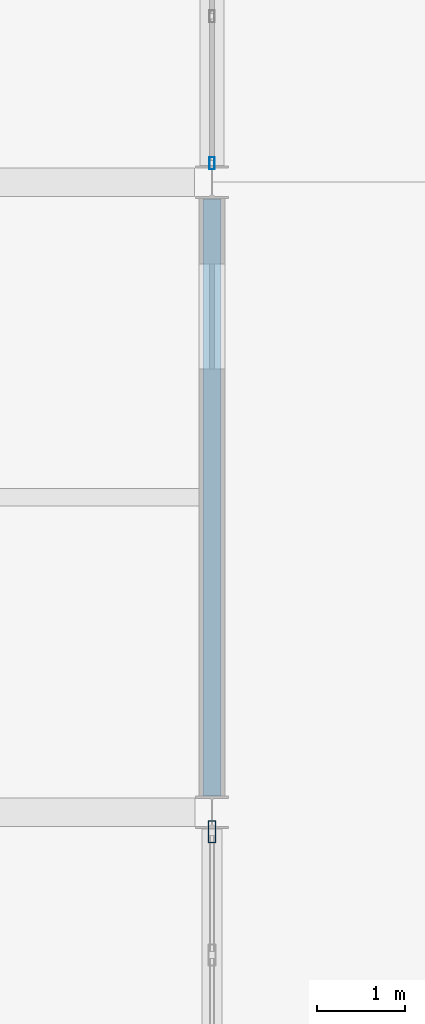
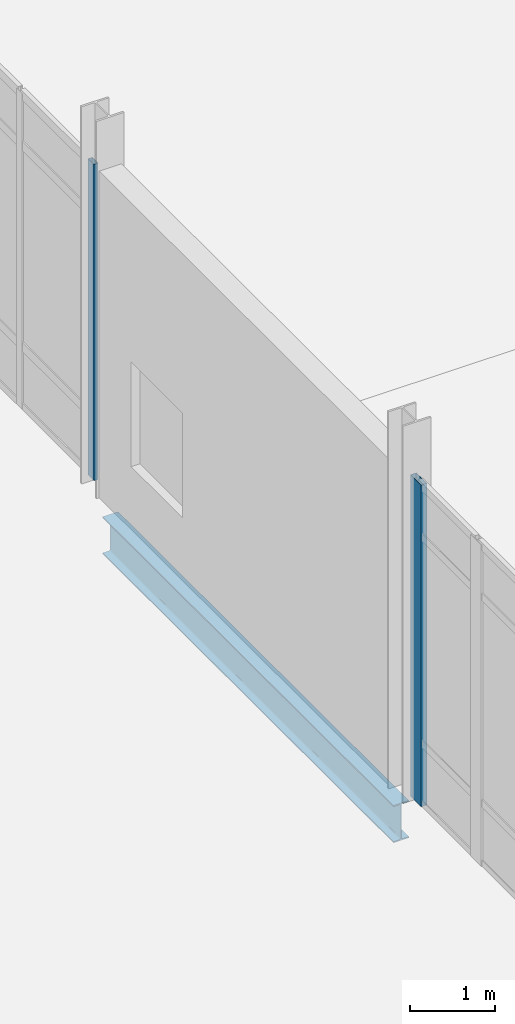
# One storey, part 100 of 229: 2 members, 1 beam, 2 elements without a shape of their own.
"""IFC4 building model written with IfcOpenShell, lengths in metres."""

from ifc_helpers import new_model, si_unit, direction, frame, origin, origin_2d, place, context, subcontext, project, spatial, hollow_rectangle, i_section, extrude, material, layer, layer_set, material_profile, profile_set, type_object, element, aggregate, save


model = new_model("IFC4")

# Units and contexts
model_context = context("Model", 3, precision=1e-05, world=origin(), true_north=direction((0.0, 1.0)))
body_context = subcontext(model_context, "Body", "Model", "MODEL_VIEW")
ifc_project = project(units=[si_unit("LENGTHUNIT", "METRE"), si_unit("AREAUNIT", "SQUARE_METRE"), si_unit("VOLUMEUNIT", "CUBIC_METRE"), si_unit("PLANEANGLEUNIT", "RADIAN"), si_unit("MASSUNIT", "GRAM", prefix="KILO")], contexts=[model_context])

# Site, building, storey
site_placement = place(None, origin())
site = spatial("IfcSite", under=ifc_project, at=site_placement, CompositionType="ELEMENT")
building_placement = place(site_placement, origin())
building = spatial("IfcBuilding", under=site, at=building_placement, Name="Calvrana Isthmian Art Gallery", CompositionType="ELEMENT")
storey_placement = place(building_placement, origin())
storey = spatial("IfcBuildingStorey", under=building, at=storey_placement, Name="L00", CompositionType="ELEMENT", Elevation=0.0)

# Beam
ifc_material_1 = material(Name="Steel ASTM A992 Gr 50", Category="steel")
ifc_material_profile_1 = material_profile(ifc_material_1, i_section(OverallWidth=0.208984375, OverallDepth=0.532958984375, WebThickness=0.01025390625, FlangeThickness=0.015625, FilletRadius=0.02099609375, at=origin_2d()), Name="W21X62")
ifc_profile_set_1 = profile_set([ifc_material_profile_1], Name="Steel ASTM A992 Gr 50")
beam_type = type_object("IfcBeamType", Name="BM-G-W21X62", PredefinedType="BEAM", material=ifc_profile_set_1)
beam_placement = place(storey_placement, frame((63.60009765625, 69.7880859375, -0.551513671875), z_axis=(0.0, 1.0, 0.0), x_axis=(-1.0, 0.0, 0.0)))
element("IfcBeam", 1, at=beam_placement, inside=storey, type_object=beam_type, Name="Girder Y L00 09/J-K", PredefinedType="BEAM", context=body_context, shape_type="SweptSolid", body=[
    extrude(i_section(OverallWidth=0.208984375, OverallDepth=0.532958984375, WebThickness=0.01025390625, FlangeThickness=0.015625, FilletRadius=0.02099609375, at=origin_2d()), origin(), (0.0, 0.0, 1.0), 6.821533203125),
])

# Curtain wall, member
ifc_material_2 = material(Name="Anodized bronze aluminium 6063-T6", Category="aluminium")
ifc_layer_1 = layer(ifc_material_2, 0.179931640625, Name="Anodized bronze aluminium 6063-T6")
ifc_layer_set_1 = layer_set([ifc_layer_1], Name="Anodized bronze aluminium 6063-T6")
curtain_wall_type_1 = type_object("IfcCurtainWallType", Name="CW-STICK-068X45", PredefinedType="NOTDEFINED", material=ifc_layer_set_1)
curtain_wall_1_placement = place(storey_placement, origin())
curtain_wall_1 = element("IfcCurtainWall", 2, at=curtain_wall_1_placement, inside=storey, type_object=curtain_wall_type_1, Name="Curtain wall CW-066", PredefinedType="NOTDEFINED")
ifc_material_profile_2 = material_profile(ifc_material_2, hollow_rectangle(XDim=0.06005859375, YDim=0.139892578125, WallThickness=0.00390625, at=origin_2d()), Name="CWM60X140")
ifc_profile_set_2 = profile_set([ifc_material_profile_2], Name="Anodized bronze aluminium 6063-T6")
member_type_1 = type_object("IfcMemberType", Name="CWM-CWM60X140", PredefinedType="MULLION", material=ifc_profile_set_2)
member_1_placement = place(storey_placement, frame((63.60009765625, 77.0166015625, 0.0), z_axis=(0.0, 0.0, 1.0), x_axis=(1.0, 0.0, 0.0)))
member_1 = element("IfcMember", 3, at=member_1_placement, type_object=member_type_1, Name="CW-066 mullion 5", PredefinedType="MULLION", context=body_context, shape_type="SweptSolid", body=[
    extrude(hollow_rectangle(XDim=0.06005859375, YDim=0.139892578125, WallThickness=0.00390625, at=origin_2d()), origin(), (0.0, 0.0, 1.0), 4.528076171875),
])
aggregate(curtain_wall_1, [member_1])

ifc_layer_2 = layer(ifc_material_2, 0.179931640625, Name="Anodized bronze aluminium 6063-T6")
ifc_layer_set_2 = layer_set([ifc_layer_2], Name="Anodized bronze aluminium 6063-T6")
curtain_wall_type_2 = type_object("IfcCurtainWallType", Name="CW-UNIT-072X46", PredefinedType="USERDEFINED", material=ifc_layer_set_2)
curtain_wall_2_placement = place(storey_placement, origin())
curtain_wall_2 = element("IfcCurtainWall", 4, at=curtain_wall_2_placement, inside=storey, type_object=curtain_wall_type_2, Name="Curtain wall CW-065", ObjectType="UNITISED CURTAIN WALL", PredefinedType="USERDEFINED")
ifc_material_profile_3 = material_profile(ifc_material_2, hollow_rectangle(XDim=0.080078125, YDim=0.25, WallThickness=0.005615234375, at=origin_2d()), Name="CWM80X250")
ifc_profile_set_3 = profile_set([ifc_material_profile_3], Name="Anodized bronze aluminium 6063-T6")
member_type_2 = type_object("IfcMemberType", Name="CWM-CWM80X250", PredefinedType="MULLION", material=ifc_profile_set_3)
member_2_placement = place(storey_placement, frame((63.60009765625, 69.3759765625, 0.0), z_axis=(0.0, 0.0, 1.0), x_axis=(1.0, 0.0, 0.0)))
member_2 = element("IfcMember", 5, at=member_2_placement, type_object=member_type_2, Name="CW-065 mullion 1", PredefinedType="MULLION", context=body_context, shape_type="SweptSolid", body=[
    extrude(hollow_rectangle(XDim=0.080078125, YDim=0.25, WallThickness=0.005615234375, at=origin_2d()), origin(), (0.0, 0.0, 1.0), 4.60693359375),
])
aggregate(curtain_wall_2, [member_2])

save(model, "model.ifc")
